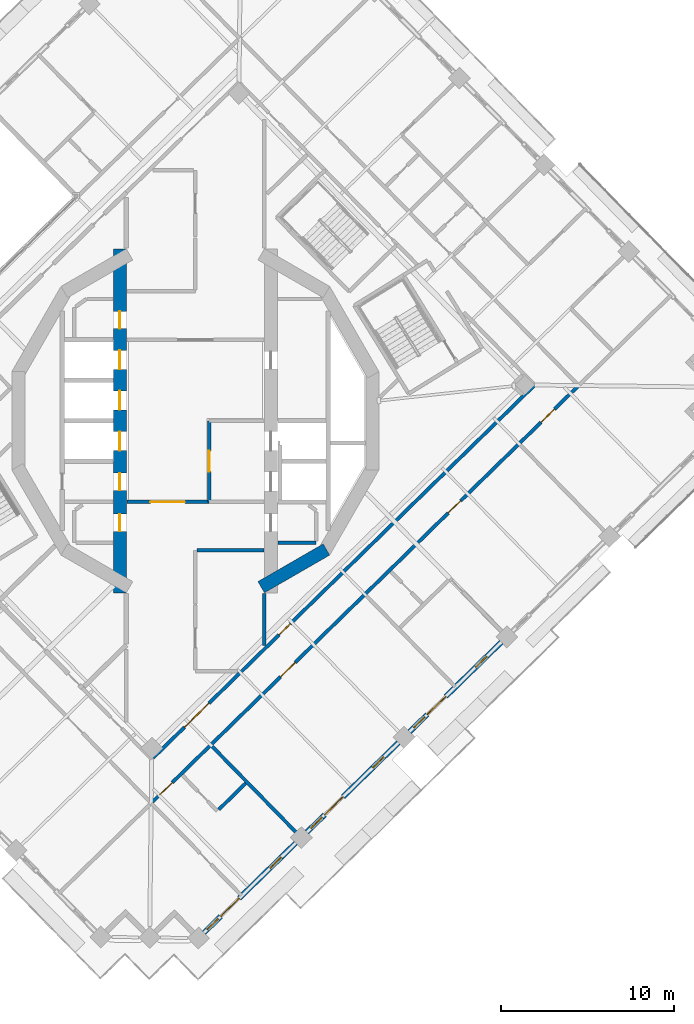
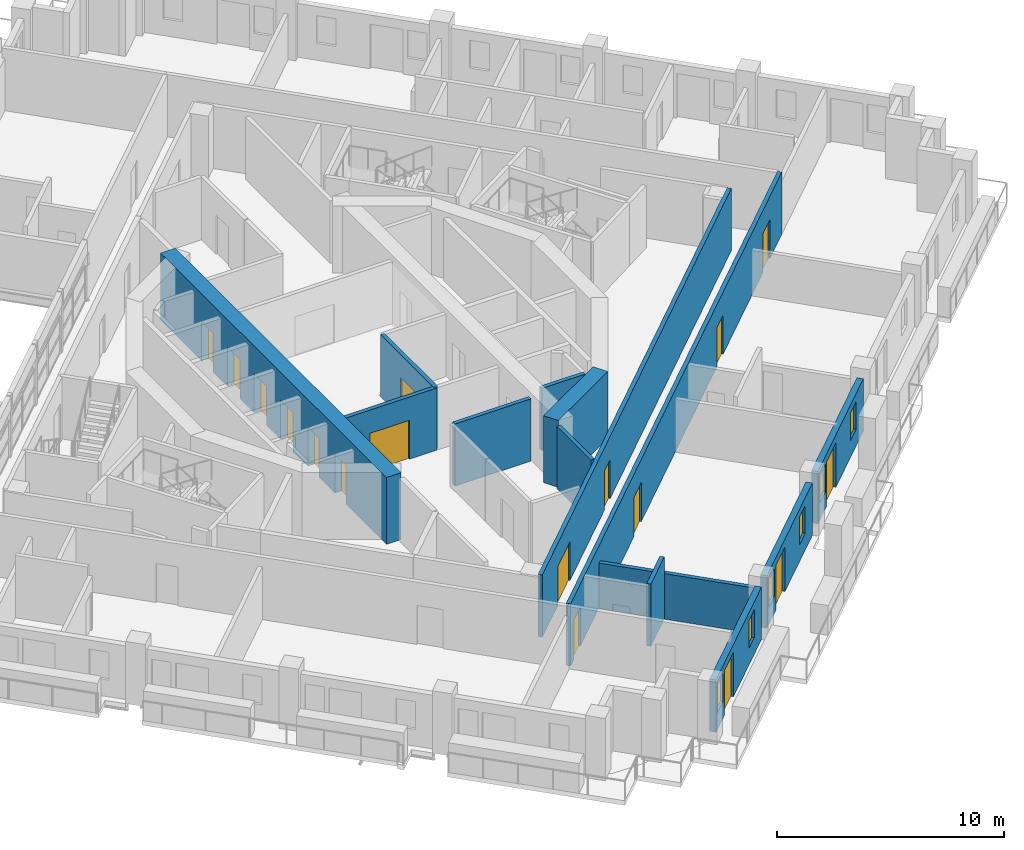
# One storey, part 9 of 21: 17 doors, 14 walls, 6 windows, 23 openings.
"""IFC4 building model written with IfcOpenShell, lengths in metres."""

from ifc_helpers import new_model, si_unit, direction, frame, frame_2d, origin, place, context, subcontext, project, spatial, rectangle, extrude, material, layer, layer_set, type_object, element, fill, save


model = new_model("IFC4")

# Units and contexts
model_context = context("Model", 3, precision=1e-05, world=origin(), true_north=direction((0.0, 1.0)))
body_context = subcontext(model_context, "Body", "Model", "MODEL_VIEW")
ifc_project = project(units=[si_unit("LENGTHUNIT", "METRE"), si_unit("AREAUNIT", "SQUARE_METRE"), si_unit("VOLUMEUNIT", "CUBIC_METRE"), si_unit("PLANEANGLEUNIT", "RADIAN"), si_unit("MASSUNIT", "GRAM", prefix="KILO")], contexts=[model_context])

# Site, building, storey
site_placement = place(None, origin())
site = spatial("IfcSite", under=ifc_project, at=site_placement, CompositionType="ELEMENT")
building_placement = place(site_placement, origin())
building = spatial("IfcBuilding", under=site, at=building_placement, Name="Cantera Rosa Tower", CompositionType="ELEMENT")
storey_placement = place(building_placement, frame((0.0, 0.0, 234.199951171875)))
storey = spatial("IfcBuildingStorey", under=building, at=storey_placement, Name="L51", CompositionType="ELEMENT", Elevation=234.199951171875)

# Wall, openings, doors
ifc_material_1 = material(Name="Gypsum board partition")
ifc_layer_1 = layer(ifc_material_1, 0.199951171875)
ifc_layer_set_1 = layer_set([ifc_layer_1], Name="CORRIDOR WALL 200 H3350")
wall_type_1 = type_object("IfcWallType", Name="CORRIDOR WALL 200 H3350", PredefinedType="PARTITIONING", material=ifc_layer_set_1)
wall_1_placement = place(storey_placement, frame((-2.469970703125, -22.0556640625, 0.0), z_axis=(0.0, 0.0, 1.0), x_axis=(0.715286619748, 0.698831203946, 0.0)))
wall_1 = element("IfcWall", 1, at=wall_1_placement, inside=storey, type_object=wall_type_1, Name="CORRIDOR WALL L51-054", PredefinedType="PARTITIONING", context=body_context, shape_type="SweptSolid", body=[
    extrude(rectangle(XDim=34.47998046875, YDim=0.199951171875, at=frame_2d((17.239990234375, 0.0))), origin(), (0.0, 0.0, 1.0), 3.35009765625),
])
opening_1_placement = place(wall_1_placement, frame((10.340087890625, 0.0, 0.0)))
opening_1 = element("IfcOpeningElement", 2, at=opening_1_placement, cuts=wall_1, Name="Opening L51-043", PredefinedType="OPENING", context=body_context, shape_type="SweptSolid", body=[
    extrude(rectangle(XDim=1.199951171875, YDim=2.10009765625, at=frame_2d((0.60009765625, 1.050048828125))), frame((0.0, 0.10986328125, 0.0), z_axis=(0.0, -1.0, 0.0), x_axis=(1.0, 0.0, 0.0)), (0.0, 0.0, 1.0), 0.219970703125),
])
opening_2_placement = place(wall_1_placement, frame((23.919921875, 0.0, 0.0)))
opening_2 = element("IfcOpeningElement", 3, at=opening_2_placement, cuts=wall_1, Name="Opening L51-044", PredefinedType="OPENING", context=body_context, shape_type="SweptSolid", body=[
    extrude(rectangle(XDim=1.0, YDim=2.10009765625, at=frame_2d((0.5, 1.050048828125))), frame((0.0, 0.10986328125, 0.0), z_axis=(0.0, -1.0, 0.0), x_axis=(1.0, 0.0, 0.0)), (0.0, 0.0, 1.0), 0.219970703125),
])
opening_3_placement = place(wall_1_placement, frame((0.590087890625, 0.0, 0.0)))
opening_3 = element("IfcOpeningElement", 4, at=opening_3_placement, cuts=wall_1, Name="Opening L51-047", PredefinedType="OPENING", context=body_context, shape_type="SweptSolid", body=[
    extrude(rectangle(XDim=1.0, YDim=2.10009765625, at=frame_2d((0.5, 1.050048828125))), frame((0.0, 0.10986328125, 0.0), z_axis=(0.0, -1.0, 0.0), x_axis=(1.0, 0.0, 0.0)), (0.0, 0.0, 1.0), 0.219970703125),
])
opening_4_placement = place(wall_1_placement, frame((31.429931640625, 0.0, 0.0)))
opening_4 = element("IfcOpeningElement", 5, at=opening_4_placement, cuts=wall_1, Name="Opening L51-050", PredefinedType="OPENING", context=body_context, shape_type="SweptSolid", body=[
    extrude(rectangle(XDim=1.10009765625, YDim=2.10009765625, at=frame_2d((0.550048828125, 1.050048828125))), frame((0.0, 0.10986328125, 0.0), z_axis=(0.0, -1.0, 0.0), x_axis=(1.0, 0.0, 0.0)), (0.0, 0.0, 1.0), 0.219970703125),
])
ifc_material_2 = material(Name="Timber door leaf", Category="wood")
door_type_1 = type_object("IfcDoorType", Name="ENTRANCE DOOR 1000x2100", OperationType="NOTDEFINED", PredefinedType="DOOR", material=ifc_material_2)
door_1_placement = place(opening_2_placement, origin())
door_1 = element("IfcDoor", 6, at=door_1_placement, inside=storey, type_object=door_type_1, Name="DOOR L51-044", OperationType="NOTDEFINED", OverallHeight=2.10009765625, OverallWidth=1.0, PredefinedType="DOOR", context=body_context, shape_type="SweptSolid", body=[
    extrude(rectangle(XDim=1.0, YDim=2.10009765625, at=frame_2d((0.5, 1.050048828125))), frame((0.0, 0.02490234375, 0.0), z_axis=(0.0, -1.0, 0.0), x_axis=(1.0, 0.0, 0.0)), (0.0, 0.0, 1.0), 0.050048828125),
])
fill(opening_2, door_1)
door_2_placement = place(opening_3_placement, origin())
door_2 = element("IfcDoor", 7, at=door_2_placement, inside=storey, type_object=door_type_1, Name="DOOR L51-047", OperationType="NOTDEFINED", OverallHeight=2.10009765625, OverallWidth=1.0, PredefinedType="DOOR", context=body_context, shape_type="SweptSolid", body=[
    extrude(rectangle(XDim=1.0, YDim=2.10009765625, at=frame_2d((0.5, 1.050048828125))), frame((0.0, 0.02490234375, 0.0), z_axis=(0.0, -1.0, 0.0), x_axis=(1.0, 0.0, 0.0)), (0.0, 0.0, 1.0), 0.050048828125),
])
fill(opening_3, door_2)
ifc_material_3 = material(Name="Timber door leaf", Category="wood")
door_type_2 = type_object("IfcDoorType", Name="ROOM DOOR 1100x2100", OperationType="NOTDEFINED", PredefinedType="DOOR", material=ifc_material_3)
door_3_placement = place(opening_4_placement, origin())
door_3 = element("IfcDoor", 8, at=door_3_placement, inside=storey, type_object=door_type_2, Name="DOOR L51-050", OperationType="NOTDEFINED", OverallHeight=2.10009765625, OverallWidth=1.10009765625, PredefinedType="DOOR", context=body_context, shape_type="SweptSolid", body=[
    extrude(rectangle(XDim=1.10009765625, YDim=2.10009765625, at=frame_2d((0.550048828125, 1.050048828125))), frame((0.0, 0.02490234375, 0.0), z_axis=(0.0, -1.0, 0.0), x_axis=(1.0, 0.0, 0.0)), (0.0, 0.0, 1.0), 0.050048828125),
])
fill(opening_4, door_3)
ifc_material_4 = material(Name="Timber door leaf", Category="wood")
door_type_3 = type_object("IfcDoorType", Name="ROOM DOOR 1200x2100", OperationType="NOTDEFINED", PredefinedType="DOOR", material=ifc_material_4)
door_4_placement = place(opening_1_placement, origin())
door_4 = element("IfcDoor", 9, at=door_4_placement, inside=storey, type_object=door_type_3, Name="DOOR L51-043", OperationType="NOTDEFINED", OverallHeight=2.10009765625, OverallWidth=1.199951171875, PredefinedType="DOOR", context=body_context, shape_type="SweptSolid", body=[
    extrude(rectangle(XDim=1.199951171875, YDim=2.10009765625, at=frame_2d((0.60009765625, 1.050048828125))), frame((0.0, 0.02490234375, 0.0), z_axis=(0.0, -1.0, 0.0), x_axis=(1.0, 0.0, 0.0)), (0.0, 0.0, 1.0), 0.050048828125),
])
fill(opening_1, door_4)

wall_2_placement = place(storey_placement, frame((-2.4404296875, -19.51025390625, 0.0), z_axis=(0.0, 0.0, 1.0), x_axis=(0.715289138653, 0.698828625719, 0.0)))
wall_2 = element("IfcWall", 10, at=wall_2_placement, inside=storey, type_object=wall_type_1, Name="CORRIDOR WALL L51-055", PredefinedType="PARTITIONING", context=body_context, shape_type="SweptSolid", body=[
    extrude(rectangle(XDim=30.880126953125, YDim=0.199951171875, at=frame_2d((15.43994140625, 0.0))), origin(), (0.0, 0.0, 1.0), 3.35009765625),
])
opening_5_placement = place(wall_2_placement, frame((10.1845703125, 0.0, 0.0)))
opening_5 = element("IfcOpeningElement", 11, at=opening_5_placement, cuts=wall_2, Name="Opening L51-012", PredefinedType="OPENING", context=body_context, shape_type="SweptSolid", body=[
    extrude(rectangle(XDim=0.89990234375, YDim=2.10009765625, at=frame_2d((0.449951171875, 1.050048828125))), frame((0.0, 0.10986328125, 0.0), z_axis=(0.0, -1.0, 0.0), x_axis=(1.0, 0.0, 0.0)), (0.0, 0.0, 1.0), 0.219970703125),
])
opening_6_placement = place(wall_2_placement, frame((2.52490234375, 0.0, 0.0)))
opening_6 = element("IfcOpeningElement", 12, at=opening_6_placement, cuts=wall_2, Name="Opening L51-015", PredefinedType="OPENING", context=body_context, shape_type="SweptSolid", body=[
    extrude(rectangle(XDim=2.0, YDim=2.10009765625, at=frame_2d((1.0, 1.050048828125))), frame((0.0, 0.10986328125, 0.0), z_axis=(0.0, -1.0, 0.0), x_axis=(1.0, 0.0, 0.0)), (0.0, 0.0, 1.0), 0.219970703125),
])
ifc_material_5 = material(Name="Steel S355J2 (EN 10025-2)", Category="steel")
door_type_4 = type_object("IfcDoorType", Name="LOBBY SCREEN DOOR 2000x2100", OperationType="NOTDEFINED", PredefinedType="DOOR", material=ifc_material_5)
door_5_placement = place(opening_6_placement, origin())
door_5 = element("IfcDoor", 13, at=door_5_placement, inside=storey, type_object=door_type_4, Name="DOOR L51-015", OperationType="NOTDEFINED", OverallHeight=2.10009765625, OverallWidth=2.0, PredefinedType="DOOR", context=body_context, shape_type="SweptSolid", body=[
    extrude(rectangle(XDim=2.0, YDim=2.10009765625, at=frame_2d((1.0, 1.050048828125))), frame((0.0, 0.02490234375, 0.0), z_axis=(0.0, -1.0, 0.0), x_axis=(1.0, 0.0, 0.0)), (0.0, 0.0, 1.0), 0.050048828125),
])
fill(opening_6, door_5)
ifc_material_6 = material(Name="Timber door leaf", Category="wood")
door_type_5 = type_object("IfcDoorType", Name="SERVICE DOOR 900x2100", OperationType="NOTDEFINED", PredefinedType="DOOR", material=ifc_material_6)
door_6_placement = place(opening_5_placement, origin())
door_6 = element("IfcDoor", 14, at=door_6_placement, inside=storey, type_object=door_type_5, Name="DOOR L51-012", OperationType="NOTDEFINED", OverallHeight=2.10009765625, OverallWidth=0.89990234375, PredefinedType="DOOR", context=body_context, shape_type="SweptSolid", body=[
    extrude(rectangle(XDim=0.89990234375, YDim=2.10009765625, at=frame_2d((0.449951171875, 1.050048828125))), frame((0.0, 0.02490234375, 0.0), z_axis=(0.0, -1.0, 0.0), x_axis=(1.0, 0.0, 0.0)), (0.0, 0.0, 1.0), 0.050048828125),
])
fill(opening_5, door_6)

# Wall, opening, door
wall_3_placement = place(storey_placement, frame((0.800048828125, -4.699951171875, 0.0), z_axis=(0.0, 0.0, 1.0), x_axis=(-1.0, 0.0, 0.0)))
wall_3 = element("IfcWall", 15, at=wall_3_placement, inside=storey, type_object=wall_type_1, Name="CORRIDOR WALL L51-062", PredefinedType="PARTITIONING", context=body_context, shape_type="SweptSolid", body=[
    extrude(rectangle(XDim=4.77001953125, YDim=0.199951171875, at=frame_2d((2.385009765625, 0.0))), origin(), (0.0, 0.0, 1.0), 3.35009765625),
])
opening_7_placement = place(wall_3_placement, frame((1.39990234375, 0.0, 0.0)))
opening_7 = element("IfcOpeningElement", 16, at=opening_7_placement, cuts=wall_3, Name="Opening L51-016", PredefinedType="OPENING", context=body_context, shape_type="SweptSolid", body=[
    extrude(rectangle(XDim=2.0, YDim=2.10009765625, at=frame_2d((1.0, 1.050048828125))), frame((0.0, 0.10986328125, 0.0), z_axis=(0.0, -1.0, 0.0), x_axis=(1.0, 0.0, 0.0)), (0.0, 0.0, 1.0), 0.219970703125),
])
door_7_placement = place(opening_7_placement, origin())
door_7 = element("IfcDoor", 17, at=door_7_placement, inside=storey, type_object=door_type_4, Name="DOOR L51-016", OperationType="NOTDEFINED", OverallHeight=2.10009765625, OverallWidth=2.0, PredefinedType="DOOR", context=body_context, shape_type="SweptSolid", body=[
    extrude(rectangle(XDim=2.0, YDim=2.10009765625, at=frame_2d((1.0, 1.050048828125))), frame((0.0, 0.02490234375, 0.0), z_axis=(0.0, -1.0, 0.0), x_axis=(1.0, 0.0, 0.0)), (0.0, 0.0, 1.0), 0.050048828125),
])
fill(opening_7, door_7)

# Wall
wall_4_placement = place(storey_placement, frame((3.969970703125, -7.5, 0.0), z_axis=(0.0, 0.0, 1.0), x_axis=(-1.0, 0.0, 0.0)))
element("IfcWall", 18, at=wall_4_placement, inside=storey, type_object=wall_type_1, Name="CORRIDOR WALL L51-074", PredefinedType="PARTITIONING", context=body_context, shape_type="SweptSolid", body=[
    extrude(rectangle(XDim=3.869873046875, YDim=0.199951171875, at=frame_2d((1.93505859375, 0.0))), origin(), (0.0, 0.0, 1.0), 3.35009765625),
])

# Wall, openings, windows, door
ifc_material_7 = material(Name="Hollow clay masonry with cantera stone cladding", Category="masonry")
ifc_layer_2 = layer(ifc_material_7, 0.300048828125)
ifc_layer_set_2 = layer_set([ifc_layer_2], Name="EW-LOGGIA 300 H2820")
wall_type_2 = type_object("IfcWallType", Name="EW-LOGGIA 300 H2820", PredefinedType="SOLIDWALL", material=ifc_layer_set_2)
wall_5_placement = place(storey_placement, frame((0.503662109375, -29.6357421875, 0.0), z_axis=(0.0, 0.0, 1.0), x_axis=(0.715284379566, 0.698833496871, 0.0)))
wall_5 = element("IfcWall", 19, at=wall_5_placement, inside=storey, type_object=wall_type_2, Name="EN-L51-W21", PredefinedType="SOLIDWALL", context=body_context, shape_type="SweptSolid", body=[
    extrude(rectangle(XDim=7.42041015625, YDim=0.300048828125, at=frame_2d((3.710205078125, 0.0))), origin(), (0.0, 0.0, 1.0), 2.820068359375),
])
opening_8_placement = place(wall_5_placement, frame((0.25, 0.0, 0.89990234375)))
opening_8 = element("IfcOpeningElement", 20, at=opening_8_placement, cuts=wall_5, Name="Opening L51-W37", PredefinedType="OPENING", context=body_context, shape_type="SweptSolid", body=[
    extrude(rectangle(XDim=0.89990234375, YDim=1.5, at=frame_2d((0.449951171875, 0.75))), frame((0.0, 0.159912109375, 0.0), z_axis=(0.0, -1.0, 0.0), x_axis=(1.0, 0.0, 0.0)), (0.0, 0.0, 1.0), 0.320068359375),
])
opening_9_placement = place(wall_5_placement, frame((1.35009765625, 0.0, 0.0)))
opening_9 = element("IfcOpeningElement", 21, at=opening_9_placement, cuts=wall_5, Name="Opening L51-TD38", PredefinedType="OPENING", context=body_context, shape_type="SweptSolid", body=[
    extrude(rectangle(XDim=1.5, YDim=2.39990234375, at=frame_2d((0.75, 1.199951171875))), frame((0.0, 0.159912109375, 0.0), z_axis=(0.0, -1.0, 0.0), x_axis=(1.0, 0.0, 0.0)), (0.0, 0.0, 1.0), 0.320068359375),
])
opening_10_placement = place(wall_5_placement, frame((5.340087890625, 0.0, 0.89990234375)))
opening_10 = element("IfcOpeningElement", 22, at=opening_10_placement, cuts=wall_5, Name="Opening L51-W39", PredefinedType="OPENING", context=body_context, shape_type="SweptSolid", body=[
    extrude(rectangle(XDim=0.89990234375, YDim=1.5, at=frame_2d((0.449951171875, 0.75))), frame((0.0, 0.159912109375, 0.0), z_axis=(0.0, -1.0, 0.0), x_axis=(1.0, 0.0, 0.0)), (0.0, 0.0, 1.0), 0.320068359375),
])
ifc_material_8 = material(Name="Aluminium frame with clear glass", Category="aluminium")
window_type = type_object("IfcWindowType", Name="Residential window 900x1500", PartitioningType="SINGLE_PANEL", PredefinedType="WINDOW", material=ifc_material_8)
window_1_placement = place(opening_8_placement, origin())
window_1 = element("IfcWindow", 23, at=window_1_placement, inside=storey, type_object=window_type, Name="WINDOW L51-W37", OverallHeight=1.5, OverallWidth=0.89990234375, PartitioningType="SINGLE_PANEL", PredefinedType="WINDOW", context=body_context, shape_type="SweptSolid", body=[
    extrude(rectangle(XDim=0.89990234375, YDim=1.5, at=frame_2d((0.449951171875, 0.75))), frame((0.0, 0.030029296875, 0.0), z_axis=(0.0, -1.0, 0.0), x_axis=(1.0, 0.0, 0.0)), (0.0, 0.0, 1.0), 0.06005859375),
])
fill(opening_8, window_1)
window_2_placement = place(opening_10_placement, origin())
window_2 = element("IfcWindow", 24, at=window_2_placement, inside=storey, type_object=window_type, Name="WINDOW L51-W39", OverallHeight=1.5, OverallWidth=0.89990234375, PartitioningType="SINGLE_PANEL", PredefinedType="WINDOW", context=body_context, shape_type="SweptSolid", body=[
    extrude(rectangle(XDim=0.89990234375, YDim=1.5, at=frame_2d((0.449951171875, 0.75))), frame((0.0, 0.030029296875, 0.0), z_axis=(0.0, -1.0, 0.0), x_axis=(1.0, 0.0, 0.0)), (0.0, 0.0, 1.0), 0.06005859375),
])
fill(opening_10, window_2)
ifc_material_9 = material(Name="Aluminium frame with clear glass", Category="aluminium")
door_type_6 = type_object("IfcDoorType", Name="TD-R 1500x2400", OperationType="NOTDEFINED", PredefinedType="DOOR", material=ifc_material_9)
door_8_placement = place(opening_9_placement, origin())
door_8 = element("IfcDoor", 25, at=door_8_placement, inside=storey, type_object=door_type_6, Name="LOGGIA DOOR L51-TD38", OperationType="SLIDING_TO_LEFT", OverallHeight=2.39990234375, OverallWidth=1.5, PredefinedType="DOOR", context=body_context, shape_type="SweptSolid", body=[
    extrude(rectangle(XDim=1.5, YDim=2.39990234375, at=frame_2d((0.75, 1.199951171875))), frame((0.0, 0.02490234375, 0.0), z_axis=(0.0, -1.0, 0.0), x_axis=(1.0, 0.0, 0.0)), (0.0, 0.0, 1.0), 0.050048828125),
])
fill(opening_9, door_8)

wall_6_placement = place(storey_placement, frame((6.454833984375, -23.8212890625, 0.0), z_axis=(0.0, 0.0, 1.0), x_axis=(0.715300826176, 0.698816662703, 0.0)))
wall_6 = element("IfcWall", 26, at=wall_6_placement, inside=storey, type_object=wall_type_2, Name="EN-L51-W22", PredefinedType="SOLIDWALL", context=body_context, shape_type="SweptSolid", body=[
    extrude(rectangle(XDim=7.420166015625, YDim=0.300048828125, at=frame_2d((3.7099609375, 0.0))), origin(), (0.0, 0.0, 1.0), 2.820068359375),
])
opening_11_placement = place(wall_6_placement, frame((0.330078125, 0.0, 0.89990234375)))
opening_11 = element("IfcOpeningElement", 27, at=opening_11_placement, cuts=wall_6, Name="Opening L51-W40", PredefinedType="OPENING", context=body_context, shape_type="SweptSolid", body=[
    extrude(rectangle(XDim=0.89990234375, YDim=1.5, at=frame_2d((0.449951171875, 0.75))), frame((0.0, 0.159912109375, 0.0), z_axis=(0.0, -1.0, 0.0), x_axis=(1.0, 0.0, 0.0)), (0.0, 0.0, 1.0), 0.320068359375),
])
opening_12_placement = place(wall_6_placement, frame((1.429931640625, 0.0, 0.0)))
opening_12 = element("IfcOpeningElement", 28, at=opening_12_placement, cuts=wall_6, Name="Opening L51-TD41", PredefinedType="OPENING", context=body_context, shape_type="SweptSolid", body=[
    extrude(rectangle(XDim=1.5, YDim=2.39990234375, at=frame_2d((0.75, 1.199951171875))), frame((0.0, 0.159912109375, 0.0), z_axis=(0.0, -1.0, 0.0), x_axis=(1.0, 0.0, 0.0)), (0.0, 0.0, 1.0), 0.320068359375),
])
opening_13_placement = place(wall_6_placement, frame((5.340087890625, 0.0, 0.89990234375)))
opening_13 = element("IfcOpeningElement", 29, at=opening_13_placement, cuts=wall_6, Name="Opening L51-W42", PredefinedType="OPENING", context=body_context, shape_type="SweptSolid", body=[
    extrude(rectangle(XDim=0.89990234375, YDim=1.5, at=frame_2d((0.449951171875, 0.75))), frame((0.0, 0.159912109375, 0.0), z_axis=(0.0, -1.0, 0.0), x_axis=(1.0, 0.0, 0.0)), (0.0, 0.0, 1.0), 0.320068359375),
])
window_3_placement = place(opening_11_placement, origin())
window_3 = element("IfcWindow", 30, at=window_3_placement, inside=storey, type_object=window_type, Name="WINDOW L51-W40", OverallHeight=1.5, OverallWidth=0.89990234375, PartitioningType="SINGLE_PANEL", PredefinedType="WINDOW", context=body_context, shape_type="SweptSolid", body=[
    extrude(rectangle(XDim=0.89990234375, YDim=1.5, at=frame_2d((0.449951171875, 0.75))), frame((0.0, 0.030029296875, 0.0), z_axis=(0.0, -1.0, 0.0), x_axis=(1.0, 0.0, 0.0)), (0.0, 0.0, 1.0), 0.06005859375),
])
fill(opening_11, window_3)
window_4_placement = place(opening_13_placement, origin())
window_4 = element("IfcWindow", 31, at=window_4_placement, inside=storey, type_object=window_type, Name="WINDOW L51-W42", OverallHeight=1.5, OverallWidth=0.89990234375, PartitioningType="SINGLE_PANEL", PredefinedType="WINDOW", context=body_context, shape_type="SweptSolid", body=[
    extrude(rectangle(XDim=0.89990234375, YDim=1.5, at=frame_2d((0.449951171875, 0.75))), frame((0.0, 0.030029296875, 0.0), z_axis=(0.0, -1.0, 0.0), x_axis=(1.0, 0.0, 0.0)), (0.0, 0.0, 1.0), 0.06005859375),
])
fill(opening_13, window_4)
door_9_placement = place(opening_12_placement, origin())
door_9 = element("IfcDoor", 32, at=door_9_placement, inside=storey, type_object=door_type_6, Name="LOGGIA DOOR L51-TD41", OperationType="SLIDING_TO_LEFT", OverallHeight=2.39990234375, OverallWidth=1.5, PredefinedType="DOOR", context=body_context, shape_type="SweptSolid", body=[
    extrude(rectangle(XDim=1.5, YDim=2.39990234375, at=frame_2d((0.75, 1.199951171875))), frame((0.0, 0.02490234375, 0.0), z_axis=(0.0, -1.0, 0.0), x_axis=(1.0, 0.0, 0.0)), (0.0, 0.0, 1.0), 0.050048828125),
])
fill(opening_12, door_9)

wall_7_placement = place(storey_placement, frame((12.406005859375, -18.007080078125, 0.0), z_axis=(0.0, 0.0, 1.0), x_axis=(0.715300826176, 0.698816662703, 0.0)))
wall_7 = element("IfcWall", 33, at=wall_7_placement, inside=storey, type_object=wall_type_2, Name="EN-L51-W23", PredefinedType="SOLIDWALL", context=body_context, shape_type="SweptSolid", body=[
    extrude(rectangle(XDim=7.420166015625, YDim=0.300048828125, at=frame_2d((3.7099609375, 0.0))), origin(), (0.0, 0.0, 1.0), 2.820068359375),
])
opening_14_placement = place(wall_7_placement, frame((0.330078125, 0.0, 0.89990234375)))
opening_14 = element("IfcOpeningElement", 34, at=opening_14_placement, cuts=wall_7, Name="Opening L51-W43", PredefinedType="OPENING", context=body_context, shape_type="SweptSolid", body=[
    extrude(rectangle(XDim=0.89990234375, YDim=1.5, at=frame_2d((0.449951171875, 0.75))), frame((0.0, 0.159912109375, 0.0), z_axis=(0.0, -1.0, 0.0), x_axis=(1.0, 0.0, 0.0)), (0.0, 0.0, 1.0), 0.320068359375),
])
opening_15_placement = place(wall_7_placement, frame((1.429931640625, 0.0, 0.0)))
opening_15 = element("IfcOpeningElement", 35, at=opening_15_placement, cuts=wall_7, Name="Opening L51-TD44", PredefinedType="OPENING", context=body_context, shape_type="SweptSolid", body=[
    extrude(rectangle(XDim=1.5, YDim=2.39990234375, at=frame_2d((0.75, 1.199951171875))), frame((0.0, 0.159912109375, 0.0), z_axis=(0.0, -1.0, 0.0), x_axis=(1.0, 0.0, 0.0)), (0.0, 0.0, 1.0), 0.320068359375),
])
opening_16_placement = place(wall_7_placement, frame((5.340087890625, 0.0, 0.89990234375)))
opening_16 = element("IfcOpeningElement", 36, at=opening_16_placement, cuts=wall_7, Name="Opening L51-W45", PredefinedType="OPENING", context=body_context, shape_type="SweptSolid", body=[
    extrude(rectangle(XDim=0.89990234375, YDim=1.5, at=frame_2d((0.449951171875, 0.75))), frame((0.0, 0.159912109375, 0.0), z_axis=(0.0, -1.0, 0.0), x_axis=(1.0, 0.0, 0.0)), (0.0, 0.0, 1.0), 0.320068359375),
])
window_5_placement = place(opening_14_placement, origin())
window_5 = element("IfcWindow", 37, at=window_5_placement, inside=storey, type_object=window_type, Name="WINDOW L51-W43", OverallHeight=1.5, OverallWidth=0.89990234375, PartitioningType="SINGLE_PANEL", PredefinedType="WINDOW", context=body_context, shape_type="SweptSolid", body=[
    extrude(rectangle(XDim=0.89990234375, YDim=1.5, at=frame_2d((0.449951171875, 0.75))), frame((0.0, 0.030029296875, 0.0), z_axis=(0.0, -1.0, 0.0), x_axis=(1.0, 0.0, 0.0)), (0.0, 0.0, 1.0), 0.06005859375),
])
fill(opening_14, window_5)
window_6_placement = place(opening_16_placement, origin())
window_6 = element("IfcWindow", 38, at=window_6_placement, inside=storey, type_object=window_type, Name="WINDOW L51-W45", OverallHeight=1.5, OverallWidth=0.89990234375, PartitioningType="SINGLE_PANEL", PredefinedType="WINDOW", context=body_context, shape_type="SweptSolid", body=[
    extrude(rectangle(XDim=0.89990234375, YDim=1.5, at=frame_2d((0.449951171875, 0.75))), frame((0.0, 0.030029296875, 0.0), z_axis=(0.0, -1.0, 0.0), x_axis=(1.0, 0.0, 0.0)), (0.0, 0.0, 1.0), 0.06005859375),
])
fill(opening_16, window_6)
door_10_placement = place(opening_15_placement, origin())
door_10 = element("IfcDoor", 39, at=door_10_placement, inside=storey, type_object=door_type_6, Name="LOGGIA DOOR L51-TD44", OperationType="SLIDING_TO_LEFT", OverallHeight=2.39990234375, OverallWidth=1.5, PredefinedType="DOOR", context=body_context, shape_type="SweptSolid", body=[
    extrude(rectangle(XDim=1.5, YDim=2.39990234375, at=frame_2d((0.75, 1.199951171875))), frame((0.0, 0.02490234375, 0.0), z_axis=(0.0, -1.0, 0.0), x_axis=(1.0, 0.0, 0.0)), (0.0, 0.0, 1.0), 0.050048828125),
])
fill(opening_15, door_10)

# Walls
ifc_material_10 = material(Name="Gypsum board partition")
ifc_layer_3 = layer(ifc_material_10, 0.199951171875)
ifc_layer_set_3 = layer_set([ifc_layer_3], Name="PARTITION 200 H3350")
wall_type_3 = type_object("IfcWallType", Name="PARTITION 200 H3350", PredefinedType="PARTITIONING", material=ifc_layer_set_3)
wall_8_placement = place(storey_placement, frame((2.916748046875, -20.98681640625, 0.0), z_axis=(0.0, 0.0, 1.0), x_axis=(-0.715234272025, -0.69888478029, 0.0)))
element("IfcWall", 40, at=wall_8_placement, inside=storey, type_object=wall_type_3, Name="PARTITION L51-073", PredefinedType="PARTITIONING", context=body_context, shape_type="SweptSolid", body=[
    extrude(rectangle(XDim=2.18017578125, YDim=0.199951171875, at=frame_2d((1.090087890625, 0.0))), origin(), (0.0, 0.0, 1.0), 3.35009765625),
])
wall_9_placement = place(storey_placement, frame((4.0, -12.998046875, 0.0), z_axis=(0.0, 0.0, 1.0), x_axis=(0.0, 1.0, 0.0)))
element("IfcWall", 41, at=wall_9_placement, inside=storey, type_object=wall_type_3, Name="PARTITION L51-076", PredefinedType="PARTITIONING", context=body_context, shape_type="SweptSolid", body=[
    extrude(rectangle(XDim=3.00390625, YDim=0.199951171875, at=frame_2d((1.501953125, 0.0))), origin(), (0.0, 0.0, 1.0), 3.35009765625),
])
wall_10_placement = place(storey_placement, frame((7.0, -7.050048828125, 0.0), z_axis=(0.0, 0.0, 1.0), x_axis=(-1.0, 0.0, 0.0)))
element("IfcWall", 42, at=wall_10_placement, inside=storey, type_object=wall_type_3, Name="PARTITION L51-086", PredefinedType="PARTITIONING", context=body_context, shape_type="SweptSolid", body=[
    extrude(rectangle(XDim=2.219970703125, YDim=0.199951171875, at=frame_2d((1.10986328125, 0.0))), origin(), (0.0, 0.0, 1.0), 3.35009765625),
])
ifc_material_11 = material(Name="Gypsum board partition")
ifc_layer_4 = layer(ifc_material_11, 0.199951171875)
ifc_layer_set_4 = layer_set([ifc_layer_4], Name="PARTY WALL 200 H2450")
wall_type_4 = type_object("IfcWallType", Name="PARTY WALL 200 H2450", PredefinedType="PARTITIONING", material=ifc_layer_set_4)
wall_11_placement = place(storey_placement, frame((6.112060546875, -24.114501953125, 0.0), z_axis=(0.0, 0.0, 1.0), x_axis=(-0.698821349183, 0.715296247667, 0.0)))
element("IfcWall", 43, at=wall_11_placement, inside=storey, type_object=wall_type_4, Name="PARTY WALL L51-083", PredefinedType="PARTITIONING", context=body_context, shape_type="SweptSolid", body=[
    extrude(rectangle(XDim=7.35009765625, YDim=0.199951171875, at=frame_2d((3.675048828125, 0.0))), origin(), (0.0, 0.0, 1.0), 2.449951171875),
])

# Wall, openings, doors
ifc_material_12 = material(Name="Concrete C60/75", Category="concrete")
ifc_layer_5 = layer(ifc_material_12, 0.75)
ifc_layer_set_5 = layer_set([ifc_layer_5], Name="RC CORE WALL 750 C60/75")
wall_type_5 = type_object("IfcWallType", Name="RC CORE WALL 750 C60/75", PredefinedType="SHEAR", material=ifc_layer_set_5)
wall_12_placement = place(storey_placement, frame((-4.375, 9.95947265625, 0.0), z_axis=(0.0, 0.0, 1.0), x_axis=(0.0, -1.0, 0.0)))
wall_12 = element("IfcWall", 44, at=wall_12_placement, inside=storey, type_object=wall_type_5, Name="CW-W6 L51", PredefinedType="SHEAR", context=body_context, shape_type="SweptSolid", body=[
    extrude(rectangle(XDim=19.9189453125, YDim=0.75, at=frame_2d((9.95947265625, 0.0))), origin(), (0.0, 0.0, 1.0), 3.60009765625),
])
opening_17_placement = place(wall_12_placement, frame((10.58447265625, 0.0, 0.0)))
opening_17 = element("IfcOpeningElement", 45, at=opening_17_placement, cuts=wall_12, Name="Opening LD-H1-L51", PredefinedType="OPENING", context=body_context, shape_type="SweptSolid", body=[
    extrude(rectangle(XDim=1.10009765625, YDim=2.10009765625, at=frame_2d((0.550048828125, 1.050048828125))), frame((0.0, 0.385009765625, 0.0), z_axis=(0.0, -1.0, 0.0), x_axis=(1.0, 0.0, 0.0)), (0.0, 0.0, 1.0), 0.77001953125),
])
opening_18_placement = place(wall_12_placement, frame((8.234619140625, 0.0, 0.0)))
opening_18 = element("IfcOpeningElement", 46, at=opening_18_placement, cuts=wall_12, Name="Opening LD-H2-L51", PredefinedType="OPENING", context=body_context, shape_type="SweptSolid", body=[
    extrude(rectangle(XDim=1.10009765625, YDim=2.10009765625, at=frame_2d((0.550048828125, 1.050048828125))), frame((0.0, 0.385009765625, 0.0), z_axis=(0.0, -1.0, 0.0), x_axis=(1.0, 0.0, 0.0)), (0.0, 0.0, 1.0), 0.77001953125),
])
opening_19_placement = place(wall_12_placement, frame((5.884521484375, 0.0, 0.0)))
opening_19 = element("IfcOpeningElement", 47, at=opening_19_placement, cuts=wall_12, Name="Opening LD-H3-L51", PredefinedType="OPENING", context=body_context, shape_type="SweptSolid", body=[
    extrude(rectangle(XDim=1.10009765625, YDim=2.10009765625, at=frame_2d((0.550048828125, 1.050048828125))), frame((0.0, 0.385009765625, 0.0), z_axis=(0.0, -1.0, 0.0), x_axis=(1.0, 0.0, 0.0)), (0.0, 0.0, 1.0), 0.77001953125),
])
opening_20_placement = place(wall_12_placement, frame((15.368408203125, 0.0, 0.0)))
opening_20 = element("IfcOpeningElement", 48, at=opening_20_placement, cuts=wall_12, Name="Opening SD-L51-20", PredefinedType="OPENING", context=body_context, shape_type="SweptSolid", body=[
    extrude(rectangle(XDim=1.0, YDim=2.10009765625, at=frame_2d((0.5, 1.050048828125))), frame((0.0, 0.385009765625, 0.0), z_axis=(0.0, -1.0, 0.0), x_axis=(1.0, 0.0, 0.0)), (0.0, 0.0, 1.0), 0.77001953125),
])
opening_21_placement = place(wall_12_placement, frame((3.618408203125, 0.0, 0.0)))
opening_21 = element("IfcOpeningElement", 49, at=opening_21_placement, cuts=wall_12, Name="Opening SD-L51-21", PredefinedType="OPENING", context=body_context, shape_type="SweptSolid", body=[
    extrude(rectangle(XDim=1.0, YDim=2.10009765625, at=frame_2d((0.5, 1.050048828125))), frame((0.0, 0.385009765625, 0.0), z_axis=(0.0, -1.0, 0.0), x_axis=(1.0, 0.0, 0.0)), (0.0, 0.0, 1.0), 0.77001953125),
])
opening_22_placement = place(wall_12_placement, frame((12.984619140625, 0.0, 0.0)))
opening_22 = element("IfcOpeningElement", 50, at=opening_22_placement, cuts=wall_12, Name="Opening SD-L51-22", PredefinedType="OPENING", context=body_context, shape_type="SweptSolid", body=[
    extrude(rectangle(XDim=1.0, YDim=2.10009765625, at=frame_2d((0.5, 1.050048828125))), frame((0.0, 0.385009765625, 0.0), z_axis=(0.0, -1.0, 0.0), x_axis=(1.0, 0.0, 0.0)), (0.0, 0.0, 1.0), 0.77001953125),
])
ifc_material_13 = material(Name="Steel S355J2 (EN 10025-2)", Category="steel")
door_type_7 = type_object("IfcDoorType", Name="LANDING DOOR 1100x2100", OperationType="NOTDEFINED", PredefinedType="DOOR", material=ifc_material_13)
door_11_placement = place(opening_17_placement, origin())
door_11 = element("IfcDoor", 51, at=door_11_placement, inside=storey, type_object=door_type_7, Name="LANDING DOOR H1 L51", OperationType="SLIDING_TO_LEFT", OverallHeight=2.10009765625, OverallWidth=1.10009765625, PredefinedType="DOOR", context=body_context, shape_type="SweptSolid", body=[
    extrude(rectangle(XDim=1.10009765625, YDim=2.10009765625, at=frame_2d((0.550048828125, 1.050048828125))), frame((0.0, 0.02490234375, 0.0), z_axis=(0.0, -1.0, 0.0), x_axis=(1.0, 0.0, 0.0)), (0.0, 0.0, 1.0), 0.050048828125),
])
fill(opening_17, door_11)
door_12_placement = place(opening_18_placement, origin())
door_12 = element("IfcDoor", 52, at=door_12_placement, inside=storey, type_object=door_type_7, Name="LANDING DOOR H2 L51", OperationType="SLIDING_TO_LEFT", OverallHeight=2.10009765625, OverallWidth=1.10009765625, PredefinedType="DOOR", context=body_context, shape_type="SweptSolid", body=[
    extrude(rectangle(XDim=1.10009765625, YDim=2.10009765625, at=frame_2d((0.550048828125, 1.050048828125))), frame((0.0, 0.02490234375, 0.0), z_axis=(0.0, -1.0, 0.0), x_axis=(1.0, 0.0, 0.0)), (0.0, 0.0, 1.0), 0.050048828125),
])
fill(opening_18, door_12)
door_13_placement = place(opening_19_placement, origin())
door_13 = element("IfcDoor", 53, at=door_13_placement, inside=storey, type_object=door_type_7, Name="LANDING DOOR H3 L51", OperationType="SLIDING_TO_LEFT", OverallHeight=2.10009765625, OverallWidth=1.10009765625, PredefinedType="DOOR", context=body_context, shape_type="SweptSolid", body=[
    extrude(rectangle(XDim=1.10009765625, YDim=2.10009765625, at=frame_2d((0.550048828125, 1.050048828125))), frame((0.0, 0.02490234375, 0.0), z_axis=(0.0, -1.0, 0.0), x_axis=(1.0, 0.0, 0.0)), (0.0, 0.0, 1.0), 0.050048828125),
])
fill(opening_19, door_13)
ifc_material_14 = material(Name="Timber door leaf", Category="wood")
door_type_8 = type_object("IfcDoorType", Name="SERVICE DOOR 1000x2100", OperationType="NOTDEFINED", PredefinedType="DOOR", material=ifc_material_14)
door_14_placement = place(opening_20_placement, origin())
door_14 = element("IfcDoor", 54, at=door_14_placement, inside=storey, type_object=door_type_8, Name="DOOR L51-SD20", OperationType="NOTDEFINED", OverallHeight=2.10009765625, OverallWidth=1.0, PredefinedType="DOOR", context=body_context, shape_type="SweptSolid", body=[
    extrude(rectangle(XDim=1.0, YDim=2.10009765625, at=frame_2d((0.5, 1.050048828125))), frame((0.0, 0.02490234375, 0.0), z_axis=(0.0, -1.0, 0.0), x_axis=(1.0, 0.0, 0.0)), (0.0, 0.0, 1.0), 0.050048828125),
])
fill(opening_20, door_14)
door_15_placement = place(opening_21_placement, origin())
door_15 = element("IfcDoor", 55, at=door_15_placement, inside=storey, type_object=door_type_8, Name="DOOR L51-SD21", OperationType="NOTDEFINED", OverallHeight=2.10009765625, OverallWidth=1.0, PredefinedType="DOOR", context=body_context, shape_type="SweptSolid", body=[
    extrude(rectangle(XDim=1.0, YDim=2.10009765625, at=frame_2d((0.5, 1.050048828125))), frame((0.0, 0.02490234375, 0.0), z_axis=(0.0, -1.0, 0.0), x_axis=(1.0, 0.0, 0.0)), (0.0, 0.0, 1.0), 0.050048828125),
])
fill(opening_21, door_15)
door_16_placement = place(opening_22_placement, origin())
door_16 = element("IfcDoor", 56, at=door_16_placement, inside=storey, type_object=door_type_8, Name="DOOR L51-SD22", OperationType="NOTDEFINED", OverallHeight=2.10009765625, OverallWidth=1.0, PredefinedType="DOOR", context=body_context, shape_type="SweptSolid", body=[
    extrude(rectangle(XDim=1.0, YDim=2.10009765625, at=frame_2d((0.5, 1.050048828125))), frame((0.0, 0.02490234375, 0.0), z_axis=(0.0, -1.0, 0.0), x_axis=(1.0, 0.0, 0.0)), (0.0, 0.0, 1.0), 0.050048828125),
])
fill(opening_22, door_16)

# Wall
wall_13_placement = place(storey_placement, frame((7.590576171875, -7.453369140625, 0.0), z_axis=(0.0, 0.0, 1.0), x_axis=(-0.866013176292, -0.50002117804, 0.0)))
element("IfcWall", 57, at=wall_13_placement, inside=storey, type_object=wall_type_5, Name="CW-E5 L51", PredefinedType="SHEAR", context=body_context, shape_type="SweptSolid", body=[
    extrude(rectangle(XDim=4.362548828125, YDim=0.75, at=frame_2d((2.18115234375, 0.0))), origin(), (0.0, 0.0, 1.0), 3.60009765625),
])

# Wall, opening, door
ifc_material_15 = material(Name="Concrete C50/60", Category="concrete")
ifc_layer_6 = layer(ifc_material_15, 0.199951171875)
ifc_layer_set_6 = layer_set([ifc_layer_6], Name="STAIR WALL 200 H3350")
wall_type_6 = type_object("IfcWallType", Name="STAIR WALL 200 H3350", PredefinedType="SOLIDWALL", material=ifc_layer_set_6)
wall_14_placement = place(storey_placement, frame((0.800048828125, -4.699951171875, 0.0), z_axis=(0.0, 0.0, 1.0), x_axis=(0.0, 1.0, 0.0)))
wall_14 = element("IfcWall", 58, at=wall_14_placement, inside=storey, type_object=wall_type_6, Name="STAIR WALL L51-063", PredefinedType="SOLIDWALL", context=body_context, shape_type="SweptSolid", body=[
    extrude(rectangle(XDim=4.699951171875, YDim=0.199951171875, at=frame_2d((2.35009765625, 0.0))), origin(), (0.0, 0.0, 1.0), 3.35009765625),
])
opening_23_placement = place(wall_14_placement, frame((1.75, 0.0, 0.0)))
opening_23 = element("IfcOpeningElement", 59, at=opening_23_placement, cuts=wall_14, Name="Opening L51-017", PredefinedType="OPENING", context=body_context, shape_type="SweptSolid", body=[
    extrude(rectangle(XDim=1.199951171875, YDim=2.10009765625, at=frame_2d((0.60009765625, 1.050048828125))), frame((0.0, 0.10986328125, 0.0), z_axis=(0.0, -1.0, 0.0), x_axis=(1.0, 0.0, 0.0)), (0.0, 0.0, 1.0), 0.219970703125),
])
ifc_material_16 = material(Name="Steel S355J2 (EN 10025-2)", Category="steel")
door_type_9 = type_object("IfcDoorType", Name="FIRE DOOR 1200x2100", OperationType="NOTDEFINED", PredefinedType="DOOR", material=ifc_material_16)
door_17_placement = place(opening_23_placement, origin())
door_17 = element("IfcDoor", 60, at=door_17_placement, inside=storey, type_object=door_type_9, Name="DOOR L51-017", OperationType="NOTDEFINED", OverallHeight=2.10009765625, OverallWidth=1.199951171875, PredefinedType="DOOR", context=body_context, shape_type="SweptSolid", body=[
    extrude(rectangle(XDim=1.199951171875, YDim=2.10009765625, at=frame_2d((0.60009765625, 1.050048828125))), frame((0.0, 0.02490234375, 0.0), z_axis=(0.0, -1.0, 0.0), x_axis=(1.0, 0.0, 0.0)), (0.0, 0.0, 1.0), 0.050048828125),
])
fill(opening_23, door_17)

save(model, "model.ifc")
